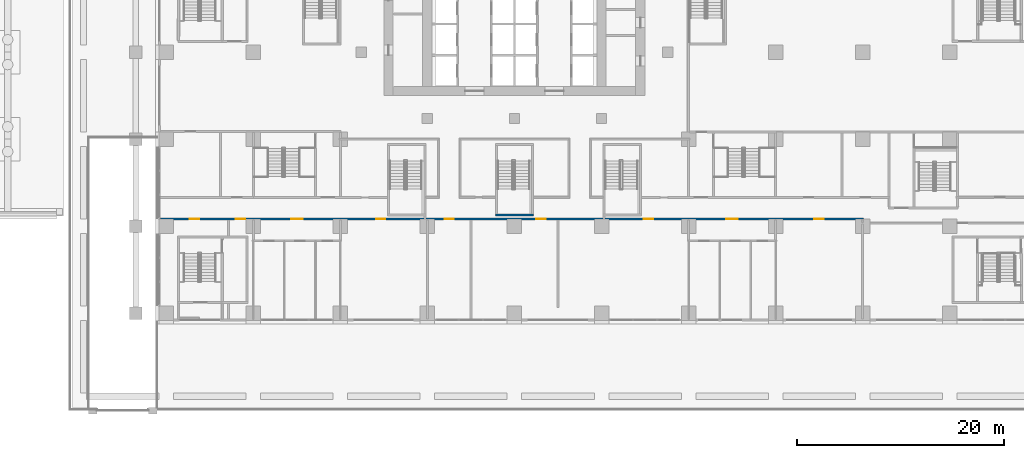
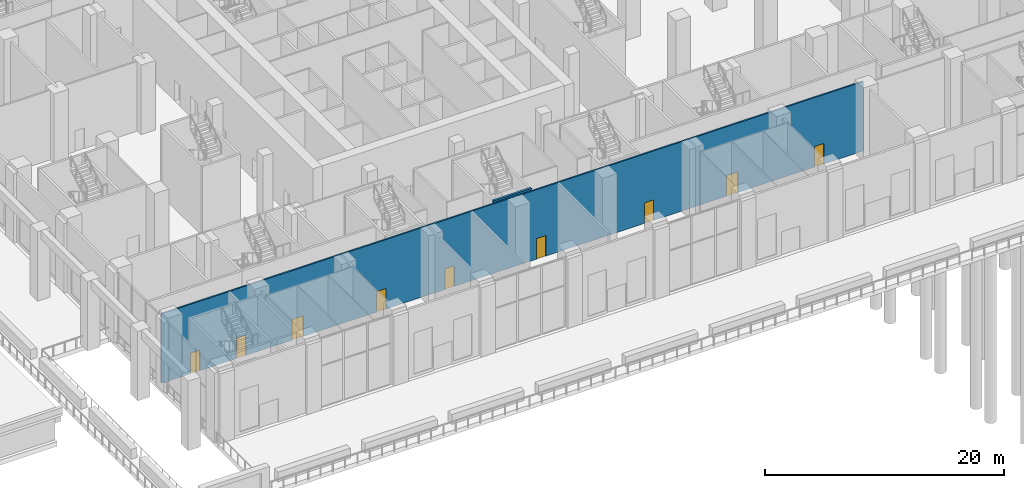
# One storey, part 21 of 53: 9 doors, 2 walls, 9 openings.
"""IFC4 building model written with IfcOpenShell, lengths in metres."""

from ifc_helpers import new_model, si_unit, direction, frame, frame_2d, origin, place, context, subcontext, project, spatial, rectangle, extrude, material, layer, layer_set, type_object, element, fill, save


model = new_model("IFC4")

# Units and contexts
model_context = context("Model", 3, precision=1e-05, world=origin(), true_north=direction((0.0, 1.0)))
body_context = subcontext(model_context, "Body", "Model", "MODEL_VIEW")
ifc_project = project(units=[si_unit("LENGTHUNIT", "METRE"), si_unit("AREAUNIT", "SQUARE_METRE"), si_unit("VOLUMEUNIT", "CUBIC_METRE"), si_unit("PLANEANGLEUNIT", "RADIAN"), si_unit("MASSUNIT", "GRAM", prefix="KILO")], contexts=[model_context])

# Site, building, storey
site_placement = place(None, origin())
site = spatial("IfcSite", under=ifc_project, at=site_placement, CompositionType="ELEMENT")
building_placement = place(site_placement, origin())
building = spatial("IfcBuilding", under=site, at=building_placement, Name="Vermilion Ogive Tower", CompositionType="ELEMENT")
storey_placement = place(building_placement, origin())
storey = spatial("IfcBuildingStorey", under=building, at=storey_placement, Name="L00", CompositionType="ELEMENT", Elevation=0.0)

# Wall, openings, doors
ifc_material_1 = material(Name="Gypsum board partition on steel studs", Category="steel")
ifc_layer_1 = layer(ifc_material_1, 0.14990234375)
ifc_layer_set_1 = layer_set([ifc_layer_1], Name="Partition 150 corridor")
wall_type_1 = type_object("IfcWallType", Name="Partition 150 corridor", PredefinedType="PARTITIONING", material=ifc_layer_set_1)
wall_1_placement = place(storey_placement, frame((-34.14990234375, -20.300048828125, 0.0), z_axis=(0.0, 0.0, 1.0), x_axis=(1.0, 0.0, 0.0)))
wall_1 = element("IfcWall", 1, at=wall_1_placement, inside=storey, type_object=wall_type_1, Name="L00-FS-W-W012", PredefinedType="PARTITIONING", context=body_context, shape_type="SweptSolid", body=[
    extrude(rectangle(XDim=67.824951171875, YDim=0.14990234375, at=frame_2d((33.91259765625, 0.0))), origin(), (0.0, 0.0, 1.0), 7.10009765625),
])
opening_1_placement = place(wall_1_placement, frame((12.599853515625, 0.0, 0.0)))
opening_1 = element("IfcOpeningElement", 2, at=opening_1_placement, cuts=wall_1, Name="Opening L00S032", PredefinedType="OPENING", context=body_context, shape_type="SweptSolid", body=[
    extrude(rectangle(XDim=1.10009765625, YDim=2.10009765625, at=frame_2d((0.550048828125, 1.050048828125))), frame((0.0, 0.0849609375, 0.0), z_axis=(0.0, -1.0, 0.0), x_axis=(1.0, 0.0, 0.0)), (0.0, 0.0, 1.0), 0.169921875),
])
opening_2_placement = place(wall_1_placement, frame((2.824951171875, 0.0, 0.0)))
opening_2 = element("IfcOpeningElement", 3, at=opening_2_placement, cuts=wall_1, Name="Opening L00S036", PredefinedType="OPENING", context=body_context, shape_type="SweptSolid", body=[
    extrude(rectangle(XDim=0.89990234375, YDim=2.10009765625, at=frame_2d((0.449951171875, 1.050048828125))), frame((0.0, 0.0849609375, 0.0), z_axis=(0.0, -1.0, 0.0), x_axis=(1.0, 0.0, 0.0)), (0.0, 0.0, 1.0), 0.169921875),
])
opening_3_placement = place(wall_1_placement, frame((7.25, 0.0, 0.0)))
opening_3 = element("IfcOpeningElement", 4, at=opening_3_placement, cuts=wall_1, Name="Opening L00S037", PredefinedType="OPENING", context=body_context, shape_type="SweptSolid", body=[
    extrude(rectangle(XDim=0.89990234375, YDim=2.10009765625, at=frame_2d((0.449951171875, 1.050048828125))), frame((0.0, 0.0849609375, 0.0), z_axis=(0.0, -1.0, 0.0), x_axis=(1.0, 0.0, 0.0)), (0.0, 0.0, 1.0), 0.169921875),
])
opening_4_placement = place(wall_1_placement, frame((20.7998046875, 0.0, 0.0)))
opening_4 = element("IfcOpeningElement", 5, at=opening_4_placement, cuts=wall_1, Name="Opening L00S038", PredefinedType="OPENING", context=body_context, shape_type="SweptSolid", body=[
    extrude(rectangle(XDim=0.89990234375, YDim=2.10009765625, at=frame_2d((0.449951171875, 1.050048828125))), frame((0.0, 0.0849609375, 0.0), z_axis=(0.0, -1.0, 0.0), x_axis=(1.0, 0.0, 0.0)), (0.0, 0.0, 1.0), 0.169921875),
])
opening_5_placement = place(wall_1_placement, frame((27.39990234375, 0.0, 0.0)))
opening_5 = element("IfcOpeningElement", 6, at=opening_5_placement, cuts=wall_1, Name="Opening L00S039", PredefinedType="OPENING", context=body_context, shape_type="SweptSolid", body=[
    extrude(rectangle(XDim=0.89990234375, YDim=2.10009765625, at=frame_2d((0.449951171875, 1.050048828125))), frame((0.0, 0.0849609375, 0.0), z_axis=(0.0, -1.0, 0.0), x_axis=(1.0, 0.0, 0.0)), (0.0, 0.0, 1.0), 0.169921875),
])
opening_6_placement = place(wall_1_placement, frame((36.25, 0.0, 0.0)))
opening_6 = element("IfcOpeningElement", 7, at=opening_6_placement, cuts=wall_1, Name="Opening L00S040", PredefinedType="OPENING", context=body_context, shape_type="SweptSolid", body=[
    extrude(rectangle(XDim=0.89990234375, YDim=2.10009765625, at=frame_2d((0.449951171875, 1.050048828125))), frame((0.0, 0.0849609375, 0.0), z_axis=(0.0, -1.0, 0.0), x_axis=(1.0, 0.0, 0.0)), (0.0, 0.0, 1.0), 0.169921875),
])
opening_7_placement = place(wall_1_placement, frame((46.64990234375, 0.0, 0.0)))
opening_7 = element("IfcOpeningElement", 8, at=opening_7_placement, cuts=wall_1, Name="Opening L00S041", PredefinedType="OPENING", context=body_context, shape_type="SweptSolid", body=[
    extrude(rectangle(XDim=0.89990234375, YDim=2.10009765625, at=frame_2d((0.449951171875, 1.050048828125))), frame((0.0, 0.0849609375, 0.0), z_axis=(0.0, -1.0, 0.0), x_axis=(1.0, 0.0, 0.0)), (0.0, 0.0, 1.0), 0.169921875),
])
opening_8_placement = place(wall_1_placement, frame((54.599853515625, 0.0, 0.0)))
opening_8 = element("IfcOpeningElement", 9, at=opening_8_placement, cuts=wall_1, Name="Opening L00S051", PredefinedType="OPENING", context=body_context, shape_type="SweptSolid", body=[
    extrude(rectangle(XDim=1.10009765625, YDim=2.10009765625, at=frame_2d((0.550048828125, 1.050048828125))), frame((0.0, 0.0849609375, 0.0), z_axis=(0.0, -1.0, 0.0), x_axis=(1.0, 0.0, 0.0)), (0.0, 0.0, 1.0), 0.169921875),
])
opening_9_placement = place(wall_1_placement, frame((63.099853515625, 0.0, 0.0)))
opening_9 = element("IfcOpeningElement", 10, at=opening_9_placement, cuts=wall_1, Name="Opening L00S055", PredefinedType="OPENING", context=body_context, shape_type="SweptSolid", body=[
    extrude(rectangle(XDim=0.89990234375, YDim=2.10009765625, at=frame_2d((0.449951171875, 1.050048828125))), frame((0.0, 0.0849609375, 0.0), z_axis=(0.0, -1.0, 0.0), x_axis=(1.0, 0.0, 0.0)), (0.0, 0.0, 1.0), 0.169921875),
])
ifc_material_2 = material(Name="Timber door leaf", Category="wood")
door_type_1 = type_object("IfcDoorType", Name="Room door 900 x 2100 FD30", OperationType="SINGLE_SWING_LEFT", PredefinedType="DOOR", material=ifc_material_2)
door_1_placement = place(opening_2_placement, origin())
door_1 = element("IfcDoor", 11, at=door_1_placement, inside=storey, type_object=door_type_1, Name="L00-FS-D-D036", OperationType="SINGLE_SWING_LEFT", OverallHeight=2.10009765625, OverallWidth=0.89990234375, PredefinedType="DOOR", context=body_context, shape_type="SweptSolid", body=[
    extrude(rectangle(XDim=0.89990234375, YDim=2.10009765625, at=frame_2d((0.449951171875, 1.050048828125))), frame((0.0, 0.02490234375, 0.0), z_axis=(0.0, -1.0, 0.0), x_axis=(1.0, 0.0, 0.0)), (0.0, 0.0, 1.0), 0.050048828125),
])
fill(opening_2, door_1)
door_2_placement = place(opening_3_placement, origin())
door_2 = element("IfcDoor", 12, at=door_2_placement, inside=storey, type_object=door_type_1, Name="L00-FS-D-D037", OperationType="SINGLE_SWING_RIGHT", OverallHeight=2.10009765625, OverallWidth=0.89990234375, PredefinedType="DOOR", context=body_context, shape_type="SweptSolid", body=[
    extrude(rectangle(XDim=0.89990234375, YDim=2.10009765625, at=frame_2d((0.449951171875, 1.050048828125))), frame((0.0, 0.02490234375, 0.0), z_axis=(0.0, -1.0, 0.0), x_axis=(1.0, 0.0, 0.0)), (0.0, 0.0, 1.0), 0.050048828125),
])
fill(opening_3, door_2)
door_3_placement = place(opening_4_placement, origin())
door_3 = element("IfcDoor", 13, at=door_3_placement, inside=storey, type_object=door_type_1, Name="L00-FS-D-D038", OperationType="SINGLE_SWING_LEFT", OverallHeight=2.10009765625, OverallWidth=0.89990234375, PredefinedType="DOOR", context=body_context, shape_type="SweptSolid", body=[
    extrude(rectangle(XDim=0.89990234375, YDim=2.10009765625, at=frame_2d((0.449951171875, 1.050048828125))), frame((0.0, 0.02490234375, 0.0), z_axis=(0.0, -1.0, 0.0), x_axis=(1.0, 0.0, 0.0)), (0.0, 0.0, 1.0), 0.050048828125),
])
fill(opening_4, door_3)
door_4_placement = place(opening_5_placement, origin())
door_4 = element("IfcDoor", 14, at=door_4_placement, inside=storey, type_object=door_type_1, Name="L00-FS-D-D039", OperationType="SINGLE_SWING_RIGHT", OverallHeight=2.10009765625, OverallWidth=0.89990234375, PredefinedType="DOOR", context=body_context, shape_type="SweptSolid", body=[
    extrude(rectangle(XDim=0.89990234375, YDim=2.10009765625, at=frame_2d((0.449951171875, 1.050048828125))), frame((0.0, 0.02490234375, 0.0), z_axis=(0.0, -1.0, 0.0), x_axis=(1.0, 0.0, 0.0)), (0.0, 0.0, 1.0), 0.050048828125),
])
fill(opening_5, door_4)
door_5_placement = place(opening_6_placement, origin())
door_5 = element("IfcDoor", 15, at=door_5_placement, inside=storey, type_object=door_type_1, Name="L00-FS-D-D040", OperationType="SINGLE_SWING_RIGHT", OverallHeight=2.10009765625, OverallWidth=0.89990234375, PredefinedType="DOOR", context=body_context, shape_type="SweptSolid", body=[
    extrude(rectangle(XDim=0.89990234375, YDim=2.10009765625, at=frame_2d((0.449951171875, 1.050048828125))), frame((0.0, 0.02490234375, 0.0), z_axis=(0.0, -1.0, 0.0), x_axis=(1.0, 0.0, 0.0)), (0.0, 0.0, 1.0), 0.050048828125),
])
fill(opening_6, door_5)
door_6_placement = place(opening_7_placement, origin())
door_6 = element("IfcDoor", 16, at=door_6_placement, inside=storey, type_object=door_type_1, Name="L00-FS-D-D041", OperationType="SINGLE_SWING_LEFT", OverallHeight=2.10009765625, OverallWidth=0.89990234375, PredefinedType="DOOR", context=body_context, shape_type="SweptSolid", body=[
    extrude(rectangle(XDim=0.89990234375, YDim=2.10009765625, at=frame_2d((0.449951171875, 1.050048828125))), frame((0.0, 0.02490234375, 0.0), z_axis=(0.0, -1.0, 0.0), x_axis=(1.0, 0.0, 0.0)), (0.0, 0.0, 1.0), 0.050048828125),
])
fill(opening_7, door_6)
door_7_placement = place(opening_9_placement, origin())
door_7 = element("IfcDoor", 17, at=door_7_placement, inside=storey, type_object=door_type_1, Name="L00-FS-D-D055", OperationType="SINGLE_SWING_RIGHT", OverallHeight=2.10009765625, OverallWidth=0.89990234375, PredefinedType="DOOR", context=body_context, shape_type="SweptSolid", body=[
    extrude(rectangle(XDim=0.89990234375, YDim=2.10009765625, at=frame_2d((0.449951171875, 1.050048828125))), frame((0.0, 0.02490234375, 0.0), z_axis=(0.0, -1.0, 0.0), x_axis=(1.0, 0.0, 0.0)), (0.0, 0.0, 1.0), 0.050048828125),
])
fill(opening_9, door_7)
ifc_material_3 = material(Name="Timber door leaf", Category="wood")
door_type_2 = type_object("IfcDoorType", Name="Wc door 1100 x 2100 FD30", OperationType="SINGLE_SWING_LEFT", PredefinedType="DOOR", material=ifc_material_3)
door_8_placement = place(opening_1_placement, origin())
door_8 = element("IfcDoor", 18, at=door_8_placement, inside=storey, type_object=door_type_2, Name="L00-FS-D-D032", OperationType="SINGLE_SWING_LEFT", OverallHeight=2.10009765625, OverallWidth=1.10009765625, PredefinedType="DOOR", context=body_context, shape_type="SweptSolid", body=[
    extrude(rectangle(XDim=1.10009765625, YDim=2.10009765625, at=frame_2d((0.550048828125, 1.050048828125))), frame((0.0, 0.02490234375, 0.0), z_axis=(0.0, -1.0, 0.0), x_axis=(1.0, 0.0, 0.0)), (0.0, 0.0, 1.0), 0.050048828125),
])
fill(opening_1, door_8)
door_9_placement = place(opening_8_placement, origin())
door_9 = element("IfcDoor", 19, at=door_9_placement, inside=storey, type_object=door_type_2, Name="L00-FS-D-D051", OperationType="SINGLE_SWING_RIGHT", OverallHeight=2.10009765625, OverallWidth=1.10009765625, PredefinedType="DOOR", context=body_context, shape_type="SweptSolid", body=[
    extrude(rectangle(XDim=1.10009765625, YDim=2.10009765625, at=frame_2d((0.550048828125, 1.050048828125))), frame((0.0, 0.02490234375, 0.0), z_axis=(0.0, -1.0, 0.0), x_axis=(1.0, 0.0, 0.0)), (0.0, 0.0, 1.0), 0.050048828125),
])
fill(opening_8, door_9)

# Wall
ifc_material_4 = material(Name="Concrete B60", Category="concrete")
ifc_layer_2 = layer(ifc_material_4, 0.199951171875)
ifc_layer_set_2 = layer_set([ifc_layer_2], Name="Stair shaft wall 200 Concrete B60")
wall_type_2 = type_object("IfcWallType", Name="Stair shaft wall 200 Concrete B60", PredefinedType="SOLIDWALL", material=ifc_layer_set_2)
wall_2_placement = place(storey_placement, frame((-1.85009765625, -19.89990234375, 0.0), z_axis=(0.0, 0.0, 1.0), x_axis=(1.0, 0.0, 0.0)))
element("IfcWall", 20, at=wall_2_placement, inside=storey, type_object=wall_type_2, Name="L00-SW-ST4-S1", PredefinedType="SOLIDWALL", context=body_context, shape_type="SweptSolid", body=[
    extrude(rectangle(XDim=3.7001953125, YDim=0.199951171875, at=frame_2d((1.85009765625, 0.0))), origin(), (0.0, 0.0, 1.0), 7.10009765625),
])

save(model, "model.ifc")
